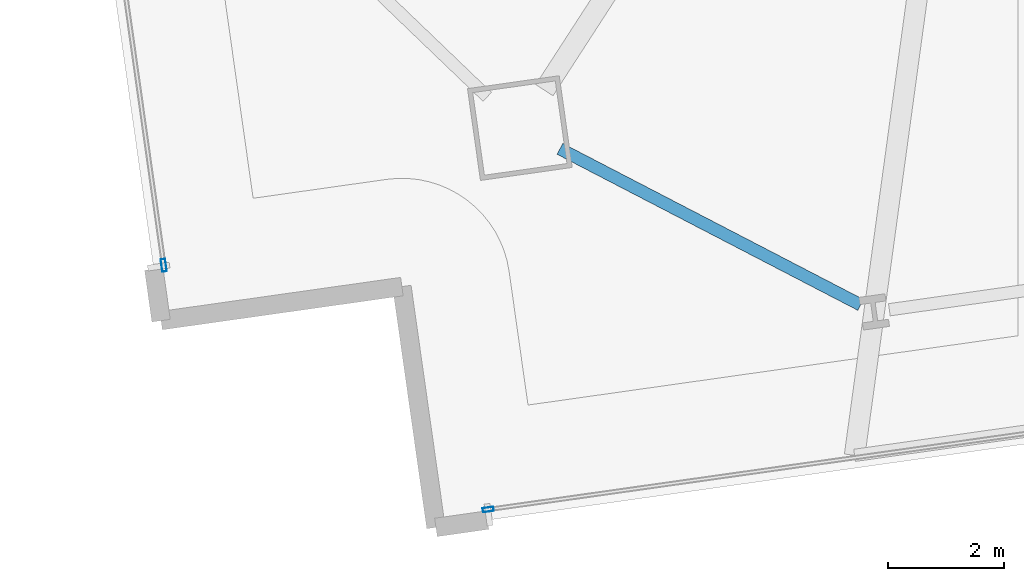
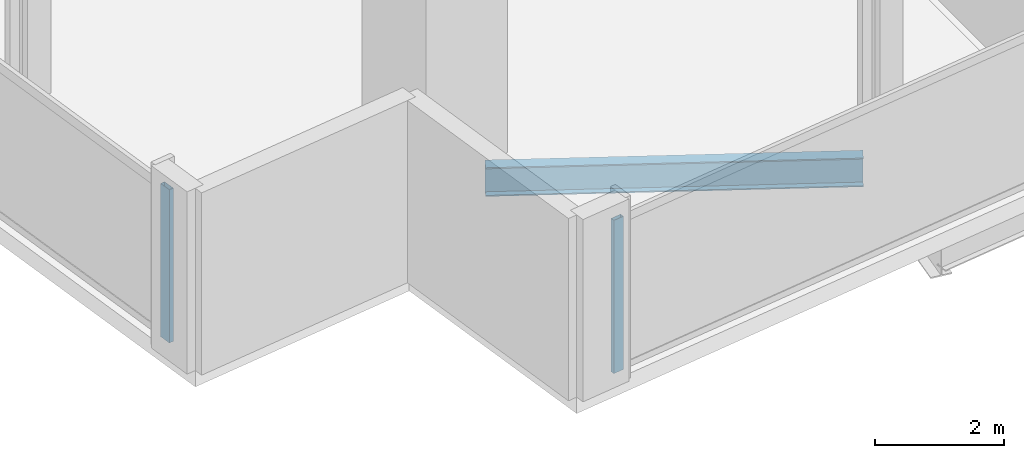
# One storey, part 2 of 33: 2 members, 1 beam, 2 elements without a shape of their own.
"""IFC4 building model written with IfcOpenShell, lengths in metres."""

from ifc_helpers import new_model, si_unit, direction, frame, origin, origin_2d, place, context, subcontext, project, spatial, hollow_rectangle, i_section, extrude, material, material_profile, profile_set, type_object, element, aggregate, save


model = new_model("IFC4")

# Units and contexts
model_context = context("Model", 3, precision=1e-05, world=origin(), true_north=direction((0.0, 1.0)))
body_context = subcontext(model_context, "Body", "Model", "MODEL_VIEW")
ifc_project = project(units=[si_unit("LENGTHUNIT", "METRE"), si_unit("AREAUNIT", "SQUARE_METRE"), si_unit("VOLUMEUNIT", "CUBIC_METRE"), si_unit("PLANEANGLEUNIT", "RADIAN"), si_unit("MASSUNIT", "GRAM", prefix="KILO")], contexts=[model_context])

# Site, building, storey
site_placement = place(None, origin())
site = spatial("IfcSite", under=ifc_project, at=site_placement, CompositionType="ELEMENT")
building_placement = place(site_placement, origin())
building = spatial("IfcBuilding", under=site, at=building_placement, Name="Haldenkirk Collegiate Tower", CompositionType="ELEMENT")
storey_placement = place(building_placement, frame((0.0, 0.0, 55.199951171875)))
storey = spatial("IfcBuildingStorey", under=building, at=storey_placement, Name="L12", CompositionType="ELEMENT", Elevation=55.199951171875)

# Beam
ifc_material_1 = material(Name="Steel ASTM A992 Grade 50", Category="steel")
ifc_material_profile_1 = material_profile(ifc_material_1, i_section(OverallWidth=0.2119140625, OverallDepth=0.5439453125, WebThickness=0.01318359375, FlangeThickness=0.021240234375, at=origin_2d()), Name="W21X83")
ifc_profile_set_1 = profile_set([ifc_material_profile_1], Name="Steel ASTM A992 Grade 50")
beam_type = type_object("IfcBeamType", Name="BM-SPANDREL-W21X83", PredefinedType="SPANDREL", material=ifc_profile_set_1)
beam_placement = place(storey_placement, frame((19.388671875, 4.8125, -0.58203125), z_axis=(0.887640153988, -0.460537682528, 0.0), x_axis=(0.460537682528, 0.887640153988, 0.0)))
element("IfcBeam", 1, at=beam_placement, inside=storey, type_object=beam_type, Name="L12 perimeter spandrel beam 01", PredefinedType="SPANDREL", context=body_context, shape_type="SweptSolid", body=[
    extrude(i_section(OverallWidth=0.2119140625, OverallDepth=0.5439453125, WebThickness=0.01318359375, FlangeThickness=0.021240234375, at=origin_2d()), origin(), (0.0, 0.0, 1.0), 5.848876953125),
])

# Curtain wall, member
ifc_material_2 = material(Name="Anodised architectural bronze aluminium", Category="aluminium")
curtain_wall_type_1 = type_object("IfcCurtainWallType", Name="CW-SYS2-CONCAVE", PredefinedType="USERDEFINED", material=ifc_material_2)
curtain_wall_1_placement = place(storey_placement, origin())
curtain_wall_1 = element("IfcCurtainWall", 2, at=curtain_wall_1_placement, inside=storey, type_object=curtain_wall_type_1, Name="L12 South concave recessed bronze-anodised curtain wall", ObjectType="UNITISED CURTAIN WALL", PredefinedType="USERDEFINED")
ifc_material_profile_2 = material_profile(ifc_material_2, hollow_rectangle(XDim=0.074951171875, YDim=0.18994140625, WallThickness=0.0048828125, at=origin_2d()), Name="CW-MUL-02")
ifc_profile_set_2 = profile_set([ifc_material_profile_2], Name="Anodised architectural bronze aluminium")
member_type_1 = type_object("IfcMemberType", Name="CW-MUL-02", PredefinedType="MULLION", material=ifc_profile_set_2)
member_1_placement = place(storey_placement, frame((18.150634765625, -1.414794921875, 0.0), z_axis=(0.0, 0.0, 1.0), x_axis=(0.140039087345, -0.990145976114, 0.0)))
member_1 = element("IfcMember", 3, at=member_1_placement, type_object=member_type_1, Name="CW-02 mullion 5", PredefinedType="MULLION", context=body_context, shape_type="SweptSolid", body=[
    extrude(hollow_rectangle(XDim=0.074951171875, YDim=0.18994140625, WallThickness=0.0048828125, at=origin_2d()), origin(), (0.0, 0.0, 1.0), 2.89111328125),
])
aggregate(curtain_wall_1, [member_1])

curtain_wall_type_2 = type_object("IfcCurtainWallType", Name="CW-SYS1-CONVEX-LOW", PredefinedType="USERDEFINED", material=ifc_material_2)
curtain_wall_2_placement = place(storey_placement, origin())
curtain_wall_2 = element("IfcCurtainWall", 4, at=curtain_wall_2_placement, inside=storey, type_object=curtain_wall_type_2, Name="L12 Lower tower convex bronze-framed unitised curtain wall", ObjectType="UNITISED CURTAIN WALL", PredefinedType="USERDEFINED")
ifc_material_profile_3 = material_profile(ifc_material_2, hollow_rectangle(XDim=0.080078125, YDim=0.219970703125, WallThickness=0.0048828125, at=origin_2d()), Name="CW-MUL-1A")
ifc_profile_set_3 = profile_set([ifc_material_profile_3], Name="Anodised architectural bronze aluminium")
member_type_2 = type_object("IfcMemberType", Name="CW-MUL-1A", PredefinedType="MULLION", material=ifc_profile_set_3)
member_2_placement = place(storey_placement, frame((12.547607421875, 2.802001953125, 0.0), z_axis=(0.0, 0.0, 1.0), x_axis=(-0.990145921918, -0.140039470541, 0.0)))
member_2 = element("IfcMember", 5, at=member_2_placement, type_object=member_type_2, Name="CW-1A mullion 1", PredefinedType="MULLION", context=body_context, shape_type="SweptSolid", body=[
    extrude(hollow_rectangle(XDim=0.080078125, YDim=0.219970703125, WallThickness=0.0048828125, at=origin_2d()), origin(), (0.0, 0.0, 1.0), 2.89111328125),
])
aggregate(curtain_wall_2, [member_2])

save(model, "model.ifc")
